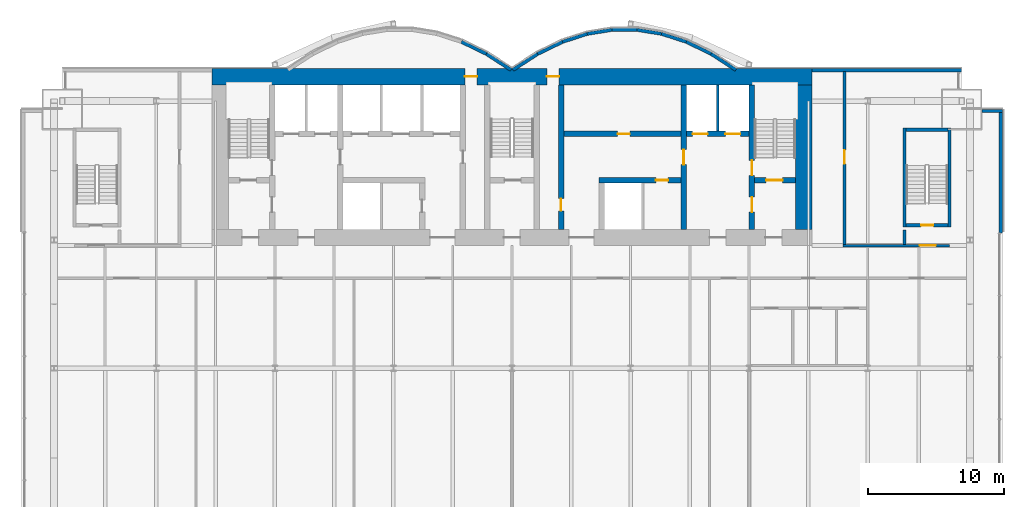
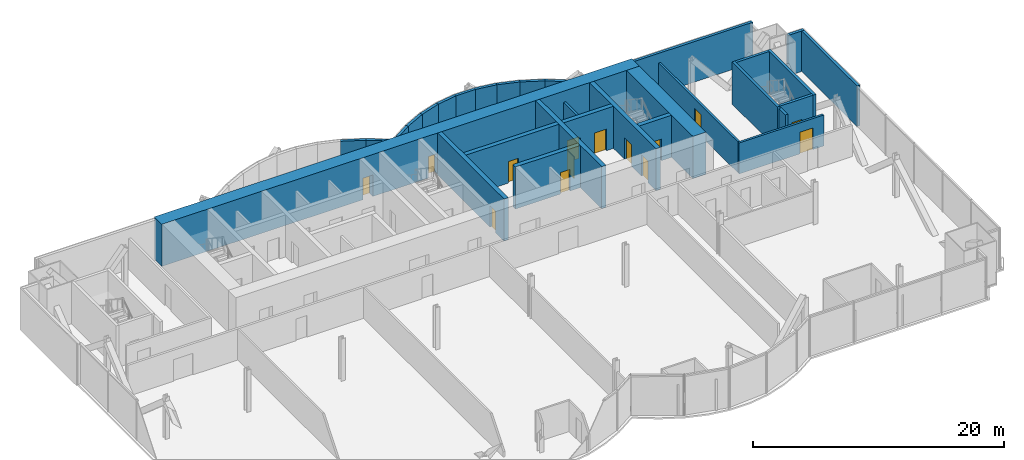
# One storey, part 17 of 21: 30 walls, 14 doors, 14 openings.
"""IFC4 building model written with IfcOpenShell, lengths in metres."""

from ifc_helpers import new_model, si_unit, direction, frame, frame_2d, origin, place, context, subcontext, project, spatial, rectangle, extrude, material, layer, layer_set, layer_usage, type_object, element, fill, save


model = new_model("IFC4")

# Units and contexts
model_context = context("Model", 3, precision=1e-05, world=origin(), true_north=direction((0.0, 1.0)))
body_context = subcontext(model_context, "Body", "Model", "MODEL_VIEW")
ifc_project = project(units=[si_unit("LENGTHUNIT", "METRE"), si_unit("AREAUNIT", "SQUARE_METRE"), si_unit("VOLUMEUNIT", "CUBIC_METRE"), si_unit("PLANEANGLEUNIT", "RADIAN"), si_unit("MASSUNIT", "GRAM", prefix="KILO")], contexts=[model_context])

# Site, building, storey
site_placement = place(None, origin())
site = spatial("IfcSite", under=ifc_project, at=site_placement, CompositionType="ELEMENT")
building_placement = place(site_placement, origin())
building = spatial("IfcBuilding", under=site, at=building_placement, Name="Bicima Exchange Tower", CompositionType="ELEMENT")
storey_placement = place(building_placement, frame((0.0, 0.0, 106.300048828125)))
storey = spatial("IfcBuildingStorey", under=building, at=storey_placement, Name="L22", CompositionType="ELEMENT", Elevation=106.300048828125)

# Wall
ifc_material_1 = material(Name="Gypsum board partition")
ifc_layer_1 = layer(ifc_material_1, 0.199951171875)
ifc_layer_set_1 = layer_set([ifc_layer_1], Name="Gypsum board partition")
wall_type_1 = type_object("IfcWallType", Name="Fire-rated gypsum partition 200 EI120", PredefinedType="PARTITIONING", material=ifc_layer_set_1)
wall_1_placement = place(storey_placement, frame((15.10009765625, -4.60009765625, 0.0), z_axis=(0.0, 0.0, 1.0), x_axis=(0.0, 1.0, 0.0)))
element("IfcWall", 1, at=wall_1_placement, inside=storey, type_object=wall_type_1, Name="partition wall 22", PredefinedType="PARTITIONING", context=body_context, shape_type="SweptSolid", body=[
    extrude(rectangle(XDim=3.400146484375, YDim=0.199951171875, at=frame_2d((1.7001953125, 0.0))), origin(), (0.0, 0.0, 1.0), 3.01806640625),
])

# Wall, opening, door
ifc_layer_2 = layer(ifc_material_1, 0.199951171875)
ifc_layer_set_2 = layer_set([ifc_layer_2], Name="Gypsum board partition")
wall_type_2 = type_object("IfcWallType", Name="Fire-rated gypsum partition 200 EI60", PredefinedType="PARTITIONING", material=ifc_layer_set_2)
wall_2_placement = place(storey_placement, frame((24.300048828125, -13.0, 0.0), z_axis=(0.0, 0.0, 1.0), x_axis=(1.0, 0.0, 0.0)))
wall_2 = element("IfcWall", 2, at=wall_2_placement, inside=storey, type_object=wall_type_2, Name="partition wall 8", PredefinedType="PARTITIONING", context=body_context, shape_type="SweptSolid", body=[
    extrude(rectangle(XDim=7.800048828125, YDim=0.199951171875, at=frame_2d((3.89990234375, 0.0))), origin(), (0.0, 0.0, 1.0), 3.01806640625),
])
opening_1_placement = place(wall_2_placement, frame((5.60009765625, 0.0, 0.0)))
opening_1 = element("IfcOpeningElement", 3, at=opening_1_placement, cuts=wall_2, Name="Opening L22-003", PredefinedType="OPENING", context=body_context, shape_type="SweptSolid", body=[
    extrude(rectangle(XDim=1.199951171875, YDim=2.10009765625, at=frame_2d((0.60009765625, 1.050048828125))), frame((0.0, 0.11181640625, 0.0), z_axis=(0.0, -1.0, 0.0), x_axis=(1.0, 0.0, 0.0)), (0.0, 0.0, 1.0), 0.223876953125),
])
ifc_material_2 = material(Name="Steel fire door leaf", Category="steel")
door_type_1 = type_object("IfcDoorType", Name="Door 1200 swing FD30S", OperationType="SINGLE_SWING_LEFT", PredefinedType="DOOR", material=ifc_material_2)
door_1_placement = place(opening_1_placement, origin())
door_1 = element("IfcDoor", 4, at=door_1_placement, inside=storey, type_object=door_type_1, Name="Door", OperationType="SINGLE_SWING_RIGHT", OverallHeight=2.10009765625, OverallWidth=1.199951171875, PredefinedType="DOOR", context=body_context, shape_type="SweptSolid", body=[
    extrude(rectangle(XDim=1.199951171875, YDim=2.10009765625, at=frame_2d((0.60009765625, 1.050048828125))), frame((0.0, 0.02490234375, 0.0), z_axis=(0.0, -1.0, 0.0), x_axis=(1.0, 0.0, 0.0)), (0.0, 0.0, 1.0), 0.050048828125),
])
fill(opening_1, door_1)

wall_3_placement = place(storey_placement, frame((24.39990234375, -12.89990234375, 0.0), z_axis=(0.0, 0.0, 1.0), x_axis=(0.0, 1.0, 0.0)))
wall_3 = element("IfcWall", 5, at=wall_3_placement, inside=storey, type_object=wall_type_2, Name="partition wall 30", PredefinedType="PARTITIONING", context=body_context, shape_type="SweptSolid", body=[
    extrude(rectangle(XDim=12.68994140625, YDim=0.199951171875, at=frame_2d((6.344970703125, 0.0))), origin(), (0.0, 0.0, 1.0), 3.01806640625),
])
opening_2_placement = place(wall_3_placement, frame((5.89990234375, 0.0, 0.0)))
opening_2 = element("IfcOpeningElement", 6, at=opening_2_placement, cuts=wall_3, Name="Opening L22-006", PredefinedType="OPENING", context=body_context, shape_type="SweptSolid", body=[
    extrude(rectangle(XDim=1.0, YDim=2.10009765625, at=frame_2d((0.5, 1.050048828125))), frame((0.0, 0.11181640625, 0.0), z_axis=(0.0, -1.0, 0.0), x_axis=(1.0, 0.0, 0.0)), (0.0, 0.0, 1.0), 0.223876953125),
])
door_type_2 = type_object("IfcDoorType", Name="Door 1000 swing FD30S", OperationType="SINGLE_SWING_LEFT", PredefinedType="DOOR", material=ifc_material_2)
door_2_placement = place(opening_2_placement, frame((1.0, 0.0, 0.0), z_axis=(0.0, 0.0, 1.0), x_axis=(-1.0, 0.0, 0.0)))
door_2 = element("IfcDoor", 7, at=door_2_placement, inside=storey, type_object=door_type_2, Name="Door", OperationType="SINGLE_SWING_RIGHT", OverallHeight=2.10009765625, OverallWidth=1.0, PredefinedType="DOOR", context=body_context, shape_type="SweptSolid", body=[
    extrude(rectangle(XDim=1.0, YDim=2.10009765625, at=frame_2d((0.5, 1.050048828125))), frame((0.0, 0.02490234375, 0.0), z_axis=(0.0, -1.0, 0.0), x_axis=(1.0, 0.0, 0.0)), (0.0, 0.0, 1.0), 0.050048828125),
])
fill(opening_2, door_2)

# Wall, openings, doors
ifc_material_3 = material(Name="Concrete C60/75", Category="concrete")
ifc_layer_3 = layer(ifc_material_3, 1.199951171875)
ifc_layer_set_3 = layer_set([ifc_layer_3], Name="Concrete C60/75")
wall_type_3 = type_object("IfcWallType", Name="RC core wall 1200 C60/75", PredefinedType="SHEAR", material=ifc_layer_set_3)
wall_4_placement = place(storey_placement, frame((-22.0, -0.60009765625, 0.0), z_axis=(0.0, 0.0, 1.0), x_axis=(1.0, 0.0, 0.0)))
wall_4 = element("IfcWall", 8, at=wall_4_placement, inside=storey, type_object=wall_type_3, Name="Core wall north", PredefinedType="SHEAR", context=body_context, shape_type="SweptSolid", body=[
    extrude(rectangle(XDim=44.0, YDim=1.199951171875, at=frame_2d((22.0, 0.0))), origin(), (0.0, 0.0, 1.0), 4.099853515625),
])
opening_3_placement = place(wall_4_placement, frame((18.550048828125, 0.0, 0.0)))
opening_3 = element("IfcOpeningElement", 9, at=opening_3_placement, cuts=wall_4, Name="Opening L22-C15", PredefinedType="OPENING", context=body_context, shape_type="SweptSolid", body=[
    extrude(rectangle(XDim=0.89990234375, YDim=2.10009765625, at=frame_2d((0.449951171875, 1.050048828125))), frame((0.0, 0.61181640625, 0.0), z_axis=(0.0, -1.0, 0.0), x_axis=(1.0, 0.0, 0.0)), (0.0, 0.0, 1.0), 1.223876953125),
])
opening_4_placement = place(wall_4_placement, frame((24.550048828125, 0.0, 0.0)))
opening_4 = element("IfcOpeningElement", 10, at=opening_4_placement, cuts=wall_4, Name="Opening L22-C16", PredefinedType="OPENING", context=body_context, shape_type="SweptSolid", body=[
    extrude(rectangle(XDim=0.89990234375, YDim=2.10009765625, at=frame_2d((0.449951171875, 1.050048828125))), frame((0.0, 0.61181640625, 0.0), z_axis=(0.0, -1.0, 0.0), x_axis=(1.0, 0.0, 0.0)), (0.0, 0.0, 1.0), 1.223876953125),
])
door_type_3 = type_object("IfcDoorType", Name="Door 900 swing FD30S", OperationType="SINGLE_SWING_LEFT", PredefinedType="DOOR", material=ifc_material_2)
door_3_placement = place(opening_3_placement, origin())
door_3 = element("IfcDoor", 11, at=door_3_placement, inside=storey, type_object=door_type_3, Name="Core door", OperationType="SINGLE_SWING_LEFT", OverallHeight=2.10009765625, OverallWidth=0.89990234375, PredefinedType="DOOR", context=body_context, shape_type="SweptSolid", body=[
    extrude(rectangle(XDim=0.89990234375, YDim=2.10009765625, at=frame_2d((0.449951171875, 1.050048828125))), frame((0.0, 0.02490234375, 0.0), z_axis=(0.0, -1.0, 0.0), x_axis=(1.0, 0.0, 0.0)), (0.0, 0.0, 1.0), 0.050048828125),
])
fill(opening_3, door_3)
door_4_placement = place(opening_4_placement, origin())
door_4 = element("IfcDoor", 12, at=door_4_placement, inside=storey, type_object=door_type_3, Name="Core door", OperationType="SINGLE_SWING_LEFT", OverallHeight=2.10009765625, OverallWidth=0.89990234375, PredefinedType="DOOR", context=body_context, shape_type="SweptSolid", body=[
    extrude(rectangle(XDim=0.89990234375, YDim=2.10009765625, at=frame_2d((0.449951171875, 1.050048828125))), frame((0.0, 0.02490234375, 0.0), z_axis=(0.0, -1.0, 0.0), x_axis=(1.0, 0.0, 0.0)), (0.0, 0.0, 1.0), 0.050048828125),
])
fill(opening_4, door_4)

# Walls
wall_5_placement = place(storey_placement, frame((21.39990234375, -11.800048828125, 0.0), z_axis=(0.0, 0.0, 1.0), x_axis=(0.0, 1.0, 0.0)))
element("IfcWall", 13, at=wall_5_placement, inside=storey, type_object=wall_type_3, Name="Core wall east", PredefinedType="SHEAR", context=body_context, shape_type="SweptSolid", body=[
    extrude(rectangle(XDim=10.60009765625, YDim=1.199951171875, at=frame_2d((5.300048828125, 0.0))), origin(), (0.0, 0.0, 1.0), 4.099853515625),
])
ifc_material_4 = material(Name="Concrete C50/60", Category="concrete")
ifc_layer_4 = layer(ifc_material_4, 0.25)
ifc_layer_set_4 = layer_set([ifc_layer_4], Name="Concrete C50/60")
wall_type_4 = type_object("IfcWallType", Name="RC core wall 250 C50/60", PredefinedType="SHEAR", material=ifc_layer_set_4)
wall_6_placement = place(storey_placement, frame((28.800048828125, -12.89990234375, 0.0), z_axis=(0.0, 0.0, 1.0), x_axis=(0.0, 1.0, 0.0)))
element("IfcWall", 14, at=wall_6_placement, inside=storey, type_object=wall_type_4, Name="stair wall 33", PredefinedType="SHEAR", context=body_context, shape_type="SweptSolid", body=[
    extrude(rectangle(XDim=1.0498046875, YDim=0.25, at=frame_2d((0.52490234375, 0.0))), origin(), (0.0, 0.0, 1.0), 4.099853515625),
])

# Wall, opening, door
ifc_layer_5 = layer(ifc_material_4, 0.39990234375)
ifc_layer_set_5 = layer_set([ifc_layer_5], Name="Concrete C50/60")
wall_type_5 = type_object("IfcWallType", Name="RC core wall 400 C50/60", PredefinedType="SHEAR", material=ifc_layer_set_5)
wall_7_placement = place(storey_placement, frame((17.800048828125, -8.199951171875, 0.0), z_axis=(0.0, 0.0, 1.0), x_axis=(1.0, 0.0, 0.0)))
wall_7 = element("IfcWall", 15, at=wall_7_placement, inside=storey, type_object=wall_type_5, Name="stair wall 5", PredefinedType="SHEAR", context=body_context, shape_type="SweptSolid", body=[
    extrude(rectangle(XDim=3.0, YDim=0.39990234375, at=frame_2d((1.5, 0.0))), origin(), (0.0, 0.0, 1.0), 4.099853515625),
])
opening_5_placement = place(wall_7_placement, frame((0.85009765625, 0.0, 0.0)))
opening_5 = element("IfcOpeningElement", 16, at=opening_5_placement, cuts=wall_7, Name="Opening L22-C04", PredefinedType="OPENING", context=body_context, shape_type="SweptSolid", body=[
    extrude(rectangle(XDim=1.199951171875, YDim=2.10009765625, at=frame_2d((0.60009765625, 1.050048828125))), frame((0.0, 0.2119140625, 0.0), z_axis=(0.0, -1.0, 0.0), x_axis=(1.0, 0.0, 0.0)), (0.0, 0.0, 1.0), 0.423828125),
])
door_type_4 = type_object("IfcDoorType", Name="Door 1200 swing FD60S", OperationType="SINGLE_SWING_LEFT", PredefinedType="DOOR", material=ifc_material_2)
door_5_placement = place(opening_5_placement, origin())
door_5 = element("IfcDoor", 17, at=door_5_placement, inside=storey, type_object=door_type_4, Name="Core door", OperationType="SINGLE_SWING_RIGHT", OverallHeight=2.10009765625, OverallWidth=1.199951171875, PredefinedType="DOOR", context=body_context, shape_type="SweptSolid", body=[
    extrude(rectangle(XDim=1.199951171875, YDim=2.10009765625, at=frame_2d((0.60009765625, 1.050048828125))), frame((0.0, 0.02490234375, 0.0), z_axis=(0.0, -1.0, 0.0), x_axis=(1.0, 0.0, 0.0)), (0.0, 0.0, 1.0), 0.050048828125),
])
fill(opening_5, door_5)

# Wall, openings, doors
wall_8_placement = place(storey_placement, frame((17.60009765625, -11.800048828125, 0.0), z_axis=(0.0, 0.0, 1.0), x_axis=(0.0, 1.0, 0.0)))
wall_8 = element("IfcWall", 18, at=wall_8_placement, inside=storey, type_object=wall_type_5, Name="stair wall 23", PredefinedType="SHEAR", context=body_context, shape_type="SweptSolid", body=[
    extrude(rectangle(XDim=10.60009765625, YDim=0.39990234375, at=frame_2d((5.300048828125, 0.0))), origin(), (0.0, 0.0, 1.0), 4.099853515625),
])
opening_6_placement = place(wall_8_placement, frame((1.25, 0.0, 0.0)))
opening_6 = element("IfcOpeningElement", 19, at=opening_6_placement, cuts=wall_8, Name="Opening L22-C05", PredefinedType="OPENING", context=body_context, shape_type="SweptSolid", body=[
    extrude(rectangle(XDim=1.10009765625, YDim=2.10009765625, at=frame_2d((0.550048828125, 1.050048828125))), frame((0.0, 0.2119140625, 0.0), z_axis=(0.0, -1.0, 0.0), x_axis=(1.0, 0.0, 0.0)), (0.0, 0.0, 1.0), 0.423828125),
])
opening_7_placement = place(wall_8_placement, frame((3.949951171875, 0.0, 0.0)))
opening_7 = element("IfcOpeningElement", 20, at=opening_7_placement, cuts=wall_8, Name="Opening L22-C08", PredefinedType="OPENING", context=body_context, shape_type="SweptSolid", body=[
    extrude(rectangle(XDim=1.10009765625, YDim=2.10009765625, at=frame_2d((0.550048828125, 1.050048828125))), frame((0.0, 0.2119140625, 0.0), z_axis=(0.0, -1.0, 0.0), x_axis=(1.0, 0.0, 0.0)), (0.0, 0.0, 1.0), 0.423828125),
])
door_type_5 = type_object("IfcDoorType", Name="Door 1100 swing FD60S", OperationType="SINGLE_SWING_LEFT", PredefinedType="DOOR", material=ifc_material_2)
door_6_placement = place(opening_6_placement, origin())
door_6 = element("IfcDoor", 21, at=door_6_placement, inside=storey, type_object=door_type_5, Name="Core door", OperationType="SINGLE_SWING_LEFT", OverallHeight=2.10009765625, OverallWidth=1.10009765625, PredefinedType="DOOR", context=body_context, shape_type="SweptSolid", body=[
    extrude(rectangle(XDim=1.10009765625, YDim=2.10009765625, at=frame_2d((0.550048828125, 1.050048828125))), frame((0.0, 0.02490234375, 0.0), z_axis=(0.0, -1.0, 0.0), x_axis=(1.0, 0.0, 0.0)), (0.0, 0.0, 1.0), 0.050048828125),
])
fill(opening_6, door_6)
door_7_placement = place(opening_7_placement, origin())
door_7 = element("IfcDoor", 22, at=door_7_placement, inside=storey, type_object=door_type_5, Name="Core door", OperationType="SINGLE_SWING_RIGHT", OverallHeight=2.10009765625, OverallWidth=1.10009765625, PredefinedType="DOOR", context=body_context, shape_type="SweptSolid", body=[
    extrude(rectangle(XDim=1.10009765625, YDim=2.10009765625, at=frame_2d((0.550048828125, 1.050048828125))), frame((0.0, 0.02490234375, 0.0), z_axis=(0.0, -1.0, 0.0), x_axis=(1.0, 0.0, 0.0)), (0.0, 0.0, 1.0), 0.050048828125),
])
fill(opening_7, door_7)

# Wall, opening, door
ifc_layer_6 = layer(ifc_material_3, 0.39990234375)
ifc_layer_set_6 = layer_set([ifc_layer_6], Name="Concrete C60/75")
wall_type_6 = type_object("IfcWallType", Name="RC core wall 400 C60/75", PredefinedType="SHEAR", material=ifc_layer_set_6)
wall_9_placement = place(storey_placement, frame((6.39990234375, -8.199951171875, 0.0), z_axis=(0.0, 0.0, 1.0), x_axis=(1.0, 0.0, 0.0)))
wall_9 = element("IfcWall", 23, at=wall_9_placement, inside=storey, type_object=wall_type_6, Name="shear wall 4", PredefinedType="SHEAR", context=body_context, shape_type="SweptSolid", body=[
    extrude(rectangle(XDim=6.0, YDim=0.39990234375, at=frame_2d((3.0, 0.0))), origin(), (0.0, 0.0, 1.0), 4.099853515625),
])
opening_8_placement = place(wall_9_placement, frame((4.14990234375, 0.0, 0.0)))
opening_8 = element("IfcOpeningElement", 24, at=opening_8_placement, cuts=wall_9, Name="Opening L22-C14", PredefinedType="OPENING", context=body_context, shape_type="SweptSolid", body=[
    extrude(rectangle(XDim=0.89990234375, YDim=2.10009765625, at=frame_2d((0.449951171875, 1.050048828125))), frame((0.0, 0.2119140625, 0.0), z_axis=(0.0, -1.0, 0.0), x_axis=(1.0, 0.0, 0.0)), (0.0, 0.0, 1.0), 0.423828125),
])
door_8_placement = place(opening_8_placement, frame((0.89990234375, 0.0, 0.0), z_axis=(0.0, 0.0, 1.0), x_axis=(-1.0, 0.0, 0.0)))
door_8 = element("IfcDoor", 25, at=door_8_placement, inside=storey, type_object=door_type_3, Name="Core door", OperationType="SINGLE_SWING_LEFT", OverallHeight=2.10009765625, OverallWidth=0.89990234375, PredefinedType="DOOR", context=body_context, shape_type="SweptSolid", body=[
    extrude(rectangle(XDim=0.89990234375, YDim=2.10009765625, at=frame_2d((0.449951171875, 1.050048828125))), frame((0.0, 0.02490234375, 0.0), z_axis=(0.0, -1.0, 0.0), x_axis=(1.0, 0.0, 0.0)), (0.0, 0.0, 1.0), 0.050048828125),
])
fill(opening_8, door_8)

# Wall, openings, doors
wall_10_placement = place(storey_placement, frame((3.800048828125, -4.800048828125, 0.0), z_axis=(0.0, 0.0, 1.0), x_axis=(1.0, 0.0, 0.0)))
wall_10 = element("IfcWall", 26, at=wall_10_placement, inside=storey, type_object=wall_type_6, Name="shear wall 7", PredefinedType="SHEAR", context=body_context, shape_type="SweptSolid", body=[
    extrude(rectangle(XDim=13.599853515625, YDim=0.39990234375, at=frame_2d((6.7998046875, 0.0))), origin(), (0.0, 0.0, 1.0), 4.099853515625),
])
opening_9_placement = place(wall_10_placement, frame((9.449951171875, 0.0, 0.0)))
opening_9 = element("IfcOpeningElement", 27, at=opening_9_placement, cuts=wall_10, Name="Opening LD-FF2-L22", PredefinedType="OPENING", context=body_context, shape_type="SweptSolid", body=[
    extrude(rectangle(XDim=1.10009765625, YDim=2.10009765625, at=frame_2d((0.550048828125, 1.050048828125))), frame((0.0, 0.2119140625, 0.0), z_axis=(0.0, -1.0, 0.0), x_axis=(1.0, 0.0, 0.0)), (0.0, 0.0, 1.0), 0.423828125),
])
opening_10_placement = place(wall_10_placement, frame((11.85009765625, 0.0, 0.0)))
opening_10 = element("IfcOpeningElement", 28, at=opening_10_placement, cuts=wall_10, Name="Opening LD-SV1-L22", PredefinedType="OPENING", context=body_context, shape_type="SweptSolid", body=[
    extrude(rectangle(XDim=1.10009765625, YDim=2.10009765625, at=frame_2d((0.550048828125, 1.050048828125))), frame((0.0, 0.2119140625, 0.0), z_axis=(0.0, -1.0, 0.0), x_axis=(1.0, 0.0, 0.0)), (0.0, 0.0, 1.0), 0.423828125),
])
opening_11_placement = place(wall_10_placement, frame((3.949951171875, 0.0, 0.0)))
opening_11 = element("IfcOpeningElement", 29, at=opening_11_placement, cuts=wall_10, Name="Opening L22-C12", PredefinedType="OPENING", context=body_context, shape_type="SweptSolid", body=[
    extrude(rectangle(XDim=0.89990234375, YDim=2.10009765625, at=frame_2d((0.449951171875, 1.050048828125))), frame((0.0, 0.2119140625, 0.0), z_axis=(0.0, -1.0, 0.0), x_axis=(1.0, 0.0, 0.0)), (0.0, 0.0, 1.0), 0.423828125),
])
door_9_placement = place(opening_11_placement, origin())
door_9 = element("IfcDoor", 30, at=door_9_placement, inside=storey, type_object=door_type_3, Name="Core door", OperationType="SINGLE_SWING_RIGHT", OverallHeight=2.10009765625, OverallWidth=0.89990234375, PredefinedType="DOOR", context=body_context, shape_type="SweptSolid", body=[
    extrude(rectangle(XDim=0.89990234375, YDim=2.10009765625, at=frame_2d((0.449951171875, 1.050048828125))), frame((0.0, 0.02490234375, 0.0), z_axis=(0.0, -1.0, 0.0), x_axis=(1.0, 0.0, 0.0)), (0.0, 0.0, 1.0), 0.050048828125),
])
fill(opening_11, door_9)
ifc_material_5 = material(Name="Stainless steel", Category="steel")
door_type_6 = type_object("IfcDoorType", Name="Lift landing door 1100 sliding", OperationType="DOUBLE_DOOR_SLIDING", PredefinedType="DOOR", material=ifc_material_5)
door_10_placement = place(opening_9_placement, origin())
door_10 = element("IfcDoor", 31, at=door_10_placement, inside=storey, type_object=door_type_6, Name="Lift landing door FF2", OperationType="DOUBLE_DOOR_SLIDING", OverallHeight=2.10009765625, OverallWidth=1.10009765625, PredefinedType="DOOR", context=body_context, shape_type="SweptSolid", body=[
    extrude(rectangle(XDim=1.10009765625, YDim=2.10009765625, at=frame_2d((0.550048828125, 1.050048828125))), frame((0.0, 0.02490234375, 0.0), z_axis=(0.0, -1.0, 0.0), x_axis=(1.0, 0.0, 0.0)), (0.0, 0.0, 1.0), 0.050048828125),
])
fill(opening_9, door_10)
door_11_placement = place(opening_10_placement, origin())
door_11 = element("IfcDoor", 32, at=door_11_placement, inside=storey, type_object=door_type_6, Name="Lift landing door SV1", OperationType="DOUBLE_DOOR_SLIDING", OverallHeight=2.10009765625, OverallWidth=1.10009765625, PredefinedType="DOOR", context=body_context, shape_type="SweptSolid", body=[
    extrude(rectangle(XDim=1.10009765625, YDim=2.10009765625, at=frame_2d((0.550048828125, 1.050048828125))), frame((0.0, 0.02490234375, 0.0), z_axis=(0.0, -1.0, 0.0), x_axis=(1.0, 0.0, 0.0)), (0.0, 0.0, 1.0), 0.050048828125),
])
fill(opening_10, door_11)

# Wall, opening, door
wall_11_placement = place(storey_placement, frame((3.60009765625, -11.800048828125, 0.0), z_axis=(0.0, 0.0, 1.0), x_axis=(0.0, 1.0, 0.0)))
wall_11 = element("IfcWall", 33, at=wall_11_placement, inside=storey, type_object=wall_type_6, Name="shear wall 18", PredefinedType="SHEAR", context=body_context, shape_type="SweptSolid", body=[
    extrude(rectangle(XDim=10.60009765625, YDim=0.39990234375, at=frame_2d((5.300048828125, 0.0))), origin(), (0.0, 0.0, 1.0), 4.099853515625),
])
opening_12_placement = place(wall_11_placement, frame((1.35009765625, 0.0, 0.0)))
opening_12 = element("IfcOpeningElement", 34, at=opening_12_placement, cuts=wall_11, Name="Opening L22-C11", PredefinedType="OPENING", context=body_context, shape_type="SweptSolid", body=[
    extrude(rectangle(XDim=0.89990234375, YDim=2.10009765625, at=frame_2d((0.449951171875, 1.050048828125))), frame((0.0, 0.2119140625, 0.0), z_axis=(0.0, -1.0, 0.0), x_axis=(1.0, 0.0, 0.0)), (0.0, 0.0, 1.0), 0.423828125),
])
door_12_placement = place(opening_12_placement, origin())
door_12 = element("IfcDoor", 35, at=door_12_placement, inside=storey, type_object=door_type_3, Name="Core door", OperationType="SINGLE_SWING_LEFT", OverallHeight=2.10009765625, OverallWidth=0.89990234375, PredefinedType="DOOR", context=body_context, shape_type="SweptSolid", body=[
    extrude(rectangle(XDim=0.89990234375, YDim=2.10009765625, at=frame_2d((0.449951171875, 1.050048828125))), frame((0.0, 0.02490234375, 0.0), z_axis=(0.0, -1.0, 0.0), x_axis=(1.0, 0.0, 0.0)), (0.0, 0.0, 1.0), 0.050048828125),
])
fill(opening_12, door_12)

wall_12_placement = place(storey_placement, frame((12.60009765625, -11.800048828125, 0.0), z_axis=(0.0, 0.0, 1.0), x_axis=(0.0, 1.0, 0.0)))
wall_12 = element("IfcWall", 36, at=wall_12_placement, inside=storey, type_object=wall_type_6, Name="shear wall 21", PredefinedType="SHEAR", context=body_context, shape_type="SweptSolid", body=[
    extrude(rectangle(XDim=10.60009765625, YDim=0.39990234375, at=frame_2d((5.300048828125, 0.0))), origin(), (0.0, 0.0, 1.0), 4.099853515625),
])
opening_13_placement = place(wall_12_placement, frame((4.75, 0.0, 0.0)))
opening_13 = element("IfcOpeningElement", 37, at=opening_13_placement, cuts=wall_12, Name="Opening L22-C09", PredefinedType="OPENING", context=body_context, shape_type="SweptSolid", body=[
    extrude(rectangle(XDim=1.10009765625, YDim=2.10009765625, at=frame_2d((0.550048828125, 1.050048828125))), frame((0.0, 0.2119140625, 0.0), z_axis=(0.0, -1.0, 0.0), x_axis=(1.0, 0.0, 0.0)), (0.0, 0.0, 1.0), 0.423828125),
])
door_13_placement = place(opening_13_placement, frame((1.10009765625, 0.0, 0.0), z_axis=(0.0, 0.0, 1.0), x_axis=(-1.0, 0.0, 0.0)))
door_13 = element("IfcDoor", 38, at=door_13_placement, inside=storey, type_object=door_type_5, Name="Core door", OperationType="SINGLE_SWING_RIGHT", OverallHeight=2.10009765625, OverallWidth=1.10009765625, PredefinedType="DOOR", context=body_context, shape_type="SweptSolid", body=[
    extrude(rectangle(XDim=1.10009765625, YDim=2.10009765625, at=frame_2d((0.550048828125, 1.050048828125))), frame((0.0, 0.02490234375, 0.0), z_axis=(0.0, -1.0, 0.0), x_axis=(1.0, 0.0, 0.0)), (0.0, 0.0, 1.0), 0.050048828125),
])
fill(opening_13, door_13)

# Walls
ifc_layer_7 = layer(ifc_material_4, 0.25)
ifc_layer_set_7 = layer_set([ifc_layer_7], Name="Concrete C50/60")
wall_type_7 = type_object("IfcWallType", Name="RC stair enclosure wall 250 C50/60", PredefinedType="SHEAR", material=ifc_layer_set_7)
for number, where, z_axis, x_axis, name in (
    (39, (28.800048828125, -11.625, 0.0), (0.0, 0.0, 1.0), (0.0, 1.0, 0.0), "East end exit stair wall W"),
    (40, (32.10009765625, -11.625, 0.0), (0.0, 0.0, 1.0), (0.0, 1.0, 0.0), "East end exit stair wall E"),
):
    element("IfcWall", number, at=place(storey_placement, frame(where, z_axis=z_axis, x_axis=x_axis)), inside=storey, type_object=wall_type_7, Name=name, PredefinedType="SHEAR", context=body_context, shape_type="SweptSolid", body=[
        extrude(rectangle(XDim=7.25, YDim=0.25, at=frame_2d((3.625, 0.0))), origin(), (0.0, 0.0, 1.0), 4.099853515625),
    ])

# Wall, opening, door
wall_13_placement = place(storey_placement, frame((28.925048828125, -11.5, 0.0), z_axis=(0.0, 0.0, 1.0), x_axis=(1.0, 0.0, 0.0)))
wall_13 = element("IfcWall", 41, at=wall_13_placement, inside=storey, type_object=wall_type_7, Name="East end exit stair wall S", PredefinedType="SHEAR", context=body_context, shape_type="SweptSolid", body=[
    extrude(rectangle(XDim=3.050048828125, YDim=0.25, at=frame_2d((1.52490234375, 0.0))), origin(), (0.0, 0.0, 1.0), 4.099853515625),
])
opening_14_placement = place(wall_13_placement, frame((1.10009765625, 0.0, 0.0)))
opening_14 = element("IfcOpeningElement", 42, at=opening_14_placement, cuts=wall_13, Name="Opening L22-004", PredefinedType="OPENING", context=body_context, shape_type="SweptSolid", body=[
    extrude(rectangle(XDim=0.89990234375, YDim=2.10009765625, at=frame_2d((0.449951171875, 1.050048828125))), frame((0.0, 0.136962890625, 0.0), z_axis=(0.0, -1.0, 0.0), x_axis=(1.0, 0.0, 0.0)), (0.0, 0.0, 1.0), 0.27392578125),
])
door_type_7 = type_object("IfcDoorType", Name="Door 900 swing FD60S", OperationType="SINGLE_SWING_LEFT", PredefinedType="DOOR", material=ifc_material_2)
door_14_placement = place(opening_14_placement, origin())
door_14 = element("IfcDoor", 43, at=door_14_placement, inside=storey, type_object=door_type_7, Name="Door", OperationType="SINGLE_SWING_LEFT", OverallHeight=2.10009765625, OverallWidth=0.89990234375, PredefinedType="DOOR", context=body_context, shape_type="SweptSolid", body=[
    extrude(rectangle(XDim=0.89990234375, YDim=2.10009765625, at=frame_2d((0.449951171875, 1.050048828125))), frame((0.0, 0.02490234375, 0.0), z_axis=(0.0, -1.0, 0.0), x_axis=(1.0, 0.0, 0.0)), (0.0, 0.0, 1.0), 0.050048828125),
])
fill(opening_14, door_14)

# Walls
wall_14_placement = place(storey_placement, frame((28.925048828125, -4.5, 0.0), z_axis=(0.0, 0.0, 1.0), x_axis=(1.0, 0.0, 0.0)))
element("IfcWall", 44, at=wall_14_placement, inside=storey, type_object=wall_type_7, Name="East end exit stair wall N", PredefinedType="SHEAR", context=body_context, shape_type="SweptSolid", body=[
    extrude(rectangle(XDim=3.050048828125, YDim=0.25, at=frame_2d((1.52490234375, 0.0))), origin(), (0.0, 0.0, 1.0), 4.099853515625),
])
ifc_material_6 = material(Name="Concrete C40/50", Category="concrete")
ifc_layer_8 = layer(ifc_material_6, 0.25)
ifc_layer_set_8 = layer_set([ifc_layer_8], Name="Concrete C40/50")
ifc_layer_usage = layer_usage(ifc_layer_set_8, "AXIS2", "POSITIVE", -0.125)
wall_type_8 = type_object("IfcWallType", Name="Rear backup wall 250", PredefinedType="STANDARD", material=ifc_layer_set_8)
wall_15_placement = place(storey_placement, frame((33.0, -0.125, 0.0), z_axis=(0.0, 0.0, 1.0), x_axis=(-1.0, 0.0, 0.0)))
element("IfcWall", 45, at=wall_15_placement, inside=storey, type_object=wall_type_8, material=ifc_layer_usage, Name="Rear backup wall L22 1", PredefinedType="STANDARD", context=body_context, shape_type="SweptSolid", body=[
    extrude(rectangle(XDim=11.0, YDim=0.25, at=frame_2d((5.5, 0.0))), origin(), (0.0, 0.0, 1.0), 3.949951171875),
])
wall_16_placement = place(storey_placement, frame((16.43212890625, -0.10498046875, 0.0), z_axis=(0.0, 0.0, 1.0), x_axis=(-0.83981312244, 0.542875602121, 0.0)))
element("IfcWall", 46, at=wall_16_placement, inside=storey, type_object=wall_type_8, material=ifc_layer_usage, Name="Rear backup wall L22 2", PredefinedType="STANDARD", context=body_context, shape_type="SweptSolid", body=[
    extrude(rectangle(XDim=2.182861328125, YDim=0.25, at=frame_2d((1.09130859375, 0.0))), origin(), (0.0, 0.0, 1.0), 3.949951171875),
])
wall_17_placement = place(storey_placement, frame((14.6123046875, 1.07275390625, 0.0), z_axis=(0.0, 0.0, 1.0), x_axis=(-0.89982408427, 0.436252928206, 0.0)))
element("IfcWall", 47, at=wall_17_placement, inside=storey, type_object=wall_type_8, material=ifc_layer_usage, Name="Rear backup wall L22 3", PredefinedType="STANDARD", context=body_context, shape_type="SweptSolid", body=[
    extrude(rectangle(XDim=2.03759765625, YDim=0.25, at=frame_2d((1.018798828125, 0.0))), origin(), (0.0, 0.0, 1.0), 3.949951171875),
])
wall_18_placement = place(storey_placement, frame((12.794921875, 1.955078125, 0.0), z_axis=(0.0, 0.0, 1.0), x_axis=(-0.951495806175, 0.307661714928, 0.0)))
element("IfcWall", 48, at=wall_18_placement, inside=storey, type_object=wall_type_8, material=ifc_layer_usage, Name="Rear backup wall L22 4", PredefinedType="STANDARD", context=body_context, shape_type="SweptSolid", body=[
    extrude(rectangle(XDim=1.9267578125, YDim=0.25, at=frame_2d((0.96337890625, 0.0))), origin(), (0.0, 0.0, 1.0), 3.949951171875),
])
wall_19_placement = place(storey_placement, frame((10.97998046875, 2.543212890625, 0.0), z_axis=(0.0, 0.0, 1.0), x_axis=(-0.987181718931, 0.159600293885, 0.0)))
element("IfcWall", 49, at=wall_19_placement, inside=storey, type_object=wall_type_8, material=ifc_layer_usage, Name="Rear backup wall L22 5", PredefinedType="STANDARD", context=body_context, shape_type="SweptSolid", body=[
    extrude(rectangle(XDim=1.857177734375, YDim=0.25, at=frame_2d((0.9287109375, 0.0))), origin(), (0.0, 0.0, 1.0), 3.949951171875),
])
wall_20_placement = place(storey_placement, frame((9.166748046875, 2.837890625, 0.0), z_axis=(0.0, 0.0, 1.0), x_axis=(-1.0, 0.0, 0.0)))
element("IfcWall", 50, at=wall_20_placement, inside=storey, type_object=wall_type_8, material=ifc_layer_usage, Name="Rear backup wall L22 6", PredefinedType="STANDARD", context=body_context, shape_type="SweptSolid", body=[
    extrude(rectangle(XDim=1.83349609375, YDim=0.25, at=frame_2d((0.916748046875, 0.0))), origin(), (0.0, 0.0, 1.0), 3.949951171875),
])
wall_21_placement = place(storey_placement, frame((7.353271484375, 2.839599609375, 0.0), z_axis=(0.0, 0.0, 1.0), x_axis=(-0.987181718931, -0.159600293885, 0.0)))
element("IfcWall", 51, at=wall_21_placement, inside=storey, type_object=wall_type_8, material=ifc_layer_usage, Name="Rear backup wall L22 7", PredefinedType="STANDARD", context=body_context, shape_type="SweptSolid", body=[
    extrude(rectangle(XDim=1.857177734375, YDim=0.25, at=frame_2d((0.9287109375, 0.0))), origin(), (0.0, 0.0, 1.0), 3.949951171875),
])
wall_22_placement = place(storey_placement, frame((5.538330078125, 2.5478515625, 0.0), z_axis=(0.0, 0.0, 1.0), x_axis=(-0.951495806175, -0.307661714928, 0.0)))
element("IfcWall", 52, at=wall_22_placement, inside=storey, type_object=wall_type_8, material=ifc_layer_usage, Name="Rear backup wall L22 8", PredefinedType="STANDARD", context=body_context, shape_type="SweptSolid", body=[
    extrude(rectangle(XDim=1.9267578125, YDim=0.25, at=frame_2d((0.96337890625, 0.0))), origin(), (0.0, 0.0, 1.0), 3.949951171875),
])
wall_23_placement = place(storey_placement, frame((3.72119140625, 1.961669921875, 0.0), z_axis=(0.0, 0.0, 1.0), x_axis=(-0.89982408427, -0.436252928206, 0.0)))
element("IfcWall", 53, at=wall_23_placement, inside=storey, type_object=wall_type_8, material=ifc_layer_usage, Name="Rear backup wall L22 9", PredefinedType="STANDARD", context=body_context, shape_type="SweptSolid", body=[
    extrude(rectangle(XDim=2.03759765625, YDim=0.25, at=frame_2d((1.018798828125, 0.0))), origin(), (0.0, 0.0, 1.0), 3.949951171875),
])
for number, where, z_axis, x_axis, name in (
    (54, (1.901123046875, 1.080078125, 0.0), (0.0, 0.0, 1.0), (-0.83981312244, -0.542875602121, 0.0), "Rear backup wall L22 10"),
    (55, (-0.06787109375, -0.10498046875, 0.0), (0.0, 0.0, 1.0), (-0.83981312244, 0.542875602121, 0.0), "Rear backup wall L22 11"),
):
    element("IfcWall", number, at=place(storey_placement, frame(where, z_axis=z_axis, x_axis=x_axis)), inside=storey, type_object=wall_type_8, material=ifc_layer_usage, Name=name, PredefinedType="STANDARD", context=body_context, shape_type="SweptSolid", body=[
        extrude(rectangle(XDim=2.182861328125, YDim=0.25, at=frame_2d((1.09130859375, 0.0))), origin(), (0.0, 0.0, 1.0), 3.949951171875),
    ])
wall_24_placement = place(storey_placement, frame((-1.8876953125, 1.07275390625, 0.0), z_axis=(0.0, 0.0, 1.0), x_axis=(-0.89982408427, 0.436252928206, 0.0)))
element("IfcWall", 56, at=wall_24_placement, inside=storey, type_object=wall_type_8, material=ifc_layer_usage, Name="Rear backup wall L22 12", PredefinedType="STANDARD", context=body_context, shape_type="SweptSolid", body=[
    extrude(rectangle(XDim=2.03759765625, YDim=0.25, at=frame_2d((1.018798828125, 0.0))), origin(), (0.0, 0.0, 1.0), 3.949951171875),
])
wall_25_placement = place(storey_placement, frame((35.875, -12.090087890625, 0.0), z_axis=(0.0, 0.0, 1.0), x_axis=(0.0, 1.0, 0.0)))
element("IfcWall", 57, at=wall_25_placement, inside=storey, type_object=wall_type_8, material=ifc_layer_usage, Name="Rear backup wall L22 50", PredefinedType="STANDARD", context=body_context, shape_type="SweptSolid", body=[
    extrude(rectangle(XDim=9.090087890625, YDim=0.25, at=frame_2d((4.544921875, 0.0))), origin(), (0.0, 0.0, 1.0), 3.949951171875),
])
wall_26_placement = place(storey_placement, frame((36.0, -3.125, 0.0), z_axis=(0.0, 0.0, 1.0), x_axis=(-1.0, 0.0, 0.0)))
element("IfcWall", 58, at=wall_26_placement, inside=storey, type_object=wall_type_8, material=ifc_layer_usage, Name="Rear backup wall L22 51", PredefinedType="STANDARD", context=body_context, shape_type="SweptSolid", body=[
    extrude(rectangle(XDim=1.5, YDim=0.25, at=frame_2d((0.75, 0.0))), origin(), (0.0, 0.0, 1.0), 3.949951171875),
])

save(model, "model.ifc")
